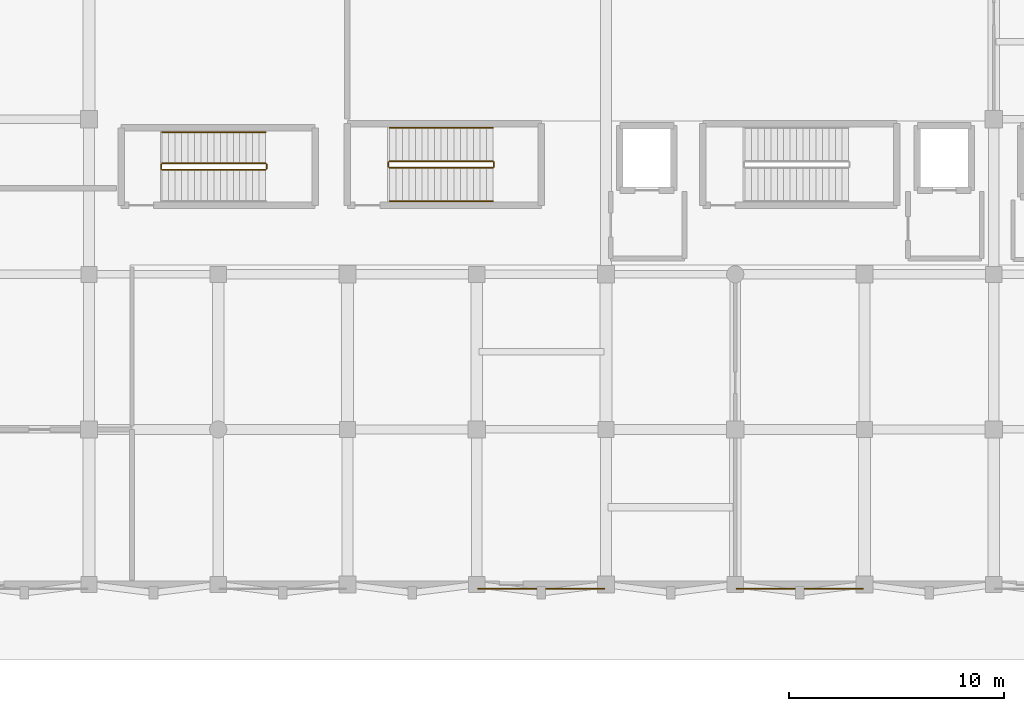
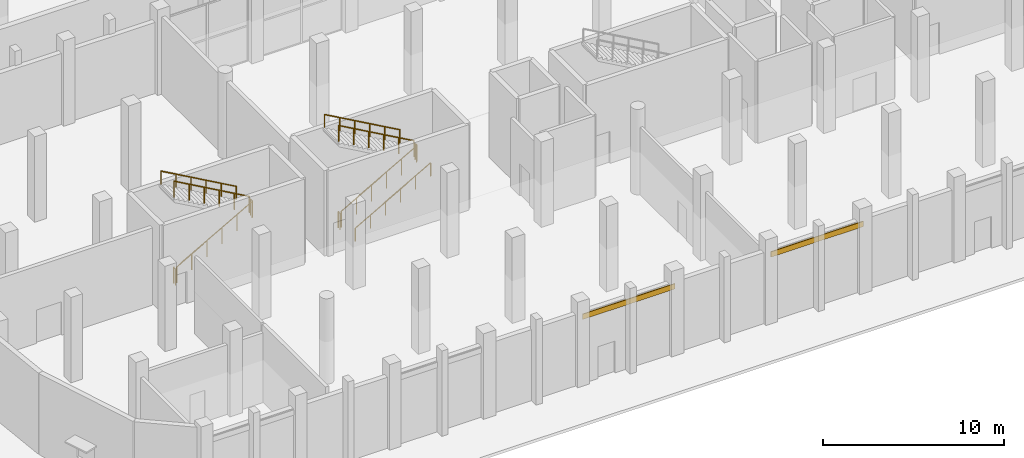
# One storey, part 88 of 103: 11 railings, 2 coverings.
"""IFC4 building model written with IfcOpenShell, lengths in metres."""

from ifc_helpers import new_model, si_unit, direction, frame, origin, origin_2d, place, context, subcontext, project, spatial, rectangle, circle, extrude, material, layer, layer_set, type_object, element, save


model = new_model("IFC4")

# Units and contexts
model_context = context("Model", 3, precision=1e-05, world=origin(), true_north=direction((0.0, 1.0)))
body_context = subcontext(model_context, "Body", "Model", "MODEL_VIEW")
ifc_project = project(units=[si_unit("LENGTHUNIT", "METRE"), si_unit("AREAUNIT", "SQUARE_METRE"), si_unit("VOLUMEUNIT", "CUBIC_METRE"), si_unit("PLANEANGLEUNIT", "RADIAN"), si_unit("MASSUNIT", "GRAM", prefix="KILO")], contexts=[model_context])

# Site, building, storey
site_placement = place(None, origin())
site = spatial("IfcSite", under=ifc_project, at=site_placement, CompositionType="ELEMENT")
building_placement = place(site_placement, origin())
building = spatial("IfcBuilding", under=site, at=building_placement, Name="Dunvalen Ferry Terminal", CompositionType="ELEMENT")
storey_placement = place(building_placement, origin())
storey = spatial("IfcBuildingStorey", under=building, at=storey_placement, Name="L00", CompositionType="ELEMENT", Elevation=0.0)

# Coverings
ifc_material_1 = material(Name="Anodised marine aluminium fascia cladding", Category="aluminium")
ifc_layer = layer(ifc_material_1, 0.050048828125, Name="Anodised marine aluminium fascia cladding")
ifc_layer_set = layer_set([ifc_layer], Name="Anodised marine aluminium fascia cladding")
covering_type = type_object("IfcCoveringType", Name="ENV-COV-CLD01", PredefinedType="CLADDING", material=ifc_layer_set)
for number, where, z_axis, x_axis, name in (
    (1, (33.0, -0.18408203125, 4.35986328125), (0.0, 0.0, 1.0), (1.0, 0.0, 0.0), "L00 Streamline Speed-Line Fascia Band 003"),
    (2, (45.0, -0.18408203125, 4.35986328125), (0.0, 0.0, 1.0), (1.0, 0.0, 0.0), "L00 Streamline Speed-Line Fascia Band 004"),
):
    element("IfcCovering", number, at=place(storey_placement, frame(where, z_axis=z_axis, x_axis=x_axis)), inside=storey, type_object=covering_type, Name=name, PredefinedType="CLADDING", context=body_context, shape_type="SweptSolid", body=[
        extrude(rectangle(XDim=5.89990234375, YDim=0.050048828125, at=origin_2d()), origin(), (0.0, 0.0, 1.0), 0.360107421875),
    ])

# Railings
ifc_material_2 = material(Name="Painted galvanised steel S275", Category="steel")
railing_type_1 = type_object("IfcRailingType", Name="INT-RL-STGRD", PredefinedType="GUARDRAIL", material=ifc_material_2)
railing_1_placement = place(storey_placement, frame((25.949951171875, 19.35009765625, 0.16943359375)))
element("IfcRailing", 3, at=railing_1_placement, inside=storey, type_object=railing_type_1, Name="L00 ST1 stair guard 1", PredefinedType="GUARDRAIL", context=body_context, shape_type="SweptSolid", body=[
    extrude(circle(Radius=0.02392578125, at=origin_2d()), frame((0.0, 0.0, 1.076171875), z_axis=(0.870766506294, 0.0, 0.491696747514), x_axis=(0.0, 1.0, 0.0)), (0.0, 0.0, 1.0), 5.512451171875),
    extrude(circle(Radius=0.02099609375, at=origin_2d()), origin(), (0.0, 0.0, 1.0), 1.052001953125),
    extrude(circle(Radius=0.02099609375, at=origin_2d()), frame((0.9599609375, 0.0, 0.5419921875)), (0.0, 0.0, 1.0), 1.052001953125),
    extrude(circle(Radius=0.02099609375, at=origin_2d()), frame((1.919921875, 0.0, 1.084228515625)), (0.0, 0.0, 1.0), 1.052001953125),
    extrude(circle(Radius=0.02099609375, at=origin_2d()), frame((2.880126953125, 0.0, 1.626220703125)), (0.0, 0.0, 1.0), 1.052001953125),
    extrude(circle(Radius=0.02099609375, at=origin_2d()), frame((3.840087890625, 0.0, 2.16845703125)), (0.0, 0.0, 1.0), 1.052001953125),
    extrude(circle(Radius=0.02099609375, at=origin_2d()), frame((4.800048828125, 0.0, 2.71044921875)), (0.0, 0.0, 1.0), 1.052001953125),
])
railing_2_placement = place(storey_placement, frame((30.800048828125, 19.39990234375, 2.8798828125)))
element("IfcRailing", 4, at=railing_2_placement, inside=storey, type_object=railing_type_1, Name="L00 ST1 stair guard 2", PredefinedType="GUARDRAIL", context=body_context, shape_type="SweptSolid", body=[
    extrude(circle(Radius=0.02392578125, at=origin_2d()), frame((0.0, 0.0, 1.076171875), z_axis=(0.0, 1.0, 0.0), x_axis=(-1.0, 0.0, 0.0)), (0.0, 0.0, 1.0), 0.2001953125),
    extrude(circle(Radius=0.02099609375, at=origin_2d()), origin(), (0.0, 0.0, 1.0), 1.052001953125),
    extrude(circle(Radius=0.02099609375, at=origin_2d()), frame((0.0, 0.2001953125, 0.0)), (0.0, 0.0, 1.0), 1.052001953125),
])
railing_3_placement = place(storey_placement, frame((30.75, 19.64990234375, 3.04931640625)))
element("IfcRailing", 5, at=railing_3_placement, inside=storey, type_object=railing_type_1, Name="L00 ST1 stair guard 3", PredefinedType="GUARDRAIL", context=body_context, shape_type="SweptSolid", body=[
    extrude(circle(Radius=0.02392578125, at=origin_2d()), frame((0.0, 0.0, 1.076171875), z_axis=(-0.870747543578, 0.0, 0.491730327875), x_axis=(0.0, -1.0, 0.0)), (0.0, 0.0, 1.0), 5.512451171875),
    extrude(circle(Radius=0.02099609375, at=origin_2d()), origin(), (0.0, 0.0, 1.0), 1.052001953125),
    extrude(circle(Radius=0.02099609375, at=origin_2d()), frame((-0.9599609375, 0.0, 0.542236328125)), (0.0, 0.0, 1.0), 1.052001953125),
    extrude(circle(Radius=0.02099609375, at=origin_2d()), frame((-1.919921875, 0.0, 1.084228515625)), (0.0, 0.0, 1.0), 1.052001953125),
    extrude(circle(Radius=0.02099609375, at=origin_2d()), frame((-2.880126953125, 0.0, 1.62646484375)), (0.0, 0.0, 1.0), 1.052001953125),
    extrude(circle(Radius=0.02099609375, at=origin_2d()), frame((-3.840087890625, 0.0, 2.16845703125)), (0.0, 0.0, 1.0), 1.052001953125),
    extrude(circle(Radius=0.02099609375, at=origin_2d()), frame((-4.800048828125, 0.0, 2.710693359375)), (0.0, 0.0, 1.0), 1.052001953125),
])
railing_4_placement = place(storey_placement, frame((25.89990234375, 19.39990234375, 0.0)))
element("IfcRailing", 6, at=railing_4_placement, inside=storey, type_object=railing_type_1, Name="L00 ST1 stair guard 4", PredefinedType="GUARDRAIL", context=body_context, shape_type="SweptSolid", body=[
    extrude(circle(Radius=0.02392578125, at=origin_2d()), frame((0.0, 0.0, 1.076171875), z_axis=(0.0, 1.0, 0.0), x_axis=(-1.0, 0.0, 0.0)), (0.0, 0.0, 1.0), 0.2001953125),
    extrude(circle(Radius=0.02099609375, at=origin_2d()), origin(), (0.0, 0.0, 1.0), 1.052001953125),
    extrude(circle(Radius=0.02099609375, at=origin_2d()), frame((0.0, 0.2001953125, 0.0)), (0.0, 0.0, 1.0), 1.052001953125),
])
railing_5_placement = place(storey_placement, frame((15.39990234375, 19.25, 0.16943359375)))
element("IfcRailing", 7, at=railing_5_placement, inside=storey, type_object=railing_type_1, Name="L00 ST5 stair guard 1", PredefinedType="GUARDRAIL", context=body_context, shape_type="SweptSolid", body=[
    extrude(circle(Radius=0.02392578125, at=origin_2d()), frame((0.0, 0.0, 1.076171875), z_axis=(0.870766506294, 0.0, 0.491696747514), x_axis=(0.0, 1.0, 0.0)), (0.0, 0.0, 1.0), 5.512451171875),
    extrude(circle(Radius=0.02099609375, at=origin_2d()), origin(), (0.0, 0.0, 1.0), 1.052001953125),
    extrude(circle(Radius=0.02099609375, at=origin_2d()), frame((0.9599609375, 0.0, 0.5419921875)), (0.0, 0.0, 1.0), 1.052001953125),
    extrude(circle(Radius=0.02099609375, at=origin_2d()), frame((1.919921875, 0.0, 1.084228515625)), (0.0, 0.0, 1.0), 1.052001953125),
    extrude(circle(Radius=0.02099609375, at=origin_2d()), frame((2.880126953125, 0.0, 1.626220703125)), (0.0, 0.0, 1.0), 1.052001953125),
    extrude(circle(Radius=0.02099609375, at=origin_2d()), frame((3.840087890625, 0.0, 2.16845703125)), (0.0, 0.0, 1.0), 1.052001953125),
    extrude(circle(Radius=0.02099609375, at=origin_2d()), frame((4.800048828125, 0.0, 2.71044921875)), (0.0, 0.0, 1.0), 1.052001953125),
])
railing_6_placement = place(storey_placement, frame((20.25, 19.300048828125, 2.8798828125)))
element("IfcRailing", 8, at=railing_6_placement, inside=storey, type_object=railing_type_1, Name="L00 ST5 stair guard 2", PredefinedType="GUARDRAIL", context=body_context, shape_type="SweptSolid", body=[
    extrude(circle(Radius=0.02392578125, at=origin_2d()), frame((0.0, 0.0, 1.076171875), z_axis=(0.0, 1.0, 0.0), x_axis=(-1.0, 0.0, 0.0)), (0.0, 0.0, 1.0), 0.199951171875),
    extrude(circle(Radius=0.02099609375, at=origin_2d()), origin(), (0.0, 0.0, 1.0), 1.052001953125),
    extrude(circle(Radius=0.02099609375, at=origin_2d()), frame((0.0, 0.199951171875, 0.0)), (0.0, 0.0, 1.0), 1.052001953125),
])
railing_7_placement = place(storey_placement, frame((20.199951171875, 19.550048828125, 3.04931640625)))
element("IfcRailing", 9, at=railing_7_placement, inside=storey, type_object=railing_type_1, Name="L00 ST5 stair guard 3", PredefinedType="GUARDRAIL", context=body_context, shape_type="SweptSolid", body=[
    extrude(circle(Radius=0.02392578125, at=origin_2d()), frame((0.0, 0.0, 1.076171875), z_axis=(-0.870747543578, 0.0, 0.491730327875), x_axis=(0.0, -1.0, 0.0)), (0.0, 0.0, 1.0), 5.512451171875),
    extrude(circle(Radius=0.02099609375, at=origin_2d()), origin(), (0.0, 0.0, 1.0), 1.052001953125),
    extrude(circle(Radius=0.02099609375, at=origin_2d()), frame((-0.9599609375, 0.0, 0.542236328125)), (0.0, 0.0, 1.0), 1.052001953125),
    extrude(circle(Radius=0.02099609375, at=origin_2d()), frame((-1.919921875, 0.0, 1.084228515625)), (0.0, 0.0, 1.0), 1.052001953125),
    extrude(circle(Radius=0.02099609375, at=origin_2d()), frame((-2.880126953125, 0.0, 1.62646484375)), (0.0, 0.0, 1.0), 1.052001953125),
    extrude(circle(Radius=0.02099609375, at=origin_2d()), frame((-3.840087890625, 0.0, 2.16845703125)), (0.0, 0.0, 1.0), 1.052001953125),
    extrude(circle(Radius=0.02099609375, at=origin_2d()), frame((-4.800048828125, 0.0, 2.710693359375)), (0.0, 0.0, 1.0), 1.052001953125),
])
railing_8_placement = place(storey_placement, frame((15.35009765625, 19.300048828125, 0.0)))
element("IfcRailing", 10, at=railing_8_placement, inside=storey, type_object=railing_type_1, Name="L00 ST5 stair guard 4", PredefinedType="GUARDRAIL", context=body_context, shape_type="SweptSolid", body=[
    extrude(circle(Radius=0.02392578125, at=origin_2d()), frame((0.0, 0.0, 1.076171875), z_axis=(0.0, 1.0, 0.0), x_axis=(-1.0, 0.0, 0.0)), (0.0, 0.0, 1.0), 0.199951171875),
    extrude(circle(Radius=0.02099609375, at=origin_2d()), origin(), (0.0, 0.0, 1.0), 1.052001953125),
    extrude(circle(Radius=0.02099609375, at=origin_2d()), frame((0.0, 0.199951171875, 0.0)), (0.0, 0.0, 1.0), 1.052001953125),
])
ifc_material_3 = material(Name="Brushed 316 stainless steel", Category="steel")
railing_type_2 = type_object("IfcRailingType", Name="INT-RL-STHND", PredefinedType="HANDRAIL", material=ifc_material_3)
railing_9_placement = place(storey_placement, frame((25.949951171875, 17.800048828125, 0.16943359375)))
element("IfcRailing", 11, at=railing_9_placement, inside=storey, type_object=railing_type_2, Name="L00 ST1 stair handrail 1", PredefinedType="HANDRAIL", context=body_context, shape_type="SweptSolid", body=[
    extrude(circle(Radius=0.02392578125, at=origin_2d()), frame((0.0, 0.0, 0.8759765625), z_axis=(0.870766506294, 0.0, 0.491696747514), x_axis=(0.0, 1.0, 0.0)), (0.0, 0.0, 1.0), 5.512451171875),
    extrude(circle(Radius=0.02099609375, at=origin_2d()), origin(), (0.0, 0.0, 1.0), 0.851806640625),
    extrude(circle(Radius=0.02099609375, at=origin_2d()), frame((0.9599609375, 0.0, 0.5419921875)), (0.0, 0.0, 1.0), 0.851806640625),
    extrude(circle(Radius=0.02099609375, at=origin_2d()), frame((1.919921875, 0.0, 1.084228515625)), (0.0, 0.0, 1.0), 0.851806640625),
    extrude(circle(Radius=0.02099609375, at=origin_2d()), frame((2.880126953125, 0.0, 1.626220703125)), (0.0, 0.0, 1.0), 0.851806640625),
    extrude(circle(Radius=0.02099609375, at=origin_2d()), frame((3.840087890625, 0.0, 2.16845703125)), (0.0, 0.0, 1.0), 0.851806640625),
    extrude(circle(Radius=0.02099609375, at=origin_2d()), frame((4.800048828125, 0.0, 2.71044921875)), (0.0, 0.0, 1.0), 0.851806640625),
])
for number, where, name in (
    (12, (30.75, 21.199951171875, 3.04931640625), "L00 ST1 stair handrail 2"),
    (13, (20.199951171875, 21.0, 3.04931640625), "L00 ST5 stair handrail 2"),
):
    element("IfcRailing", number, at=place(storey_placement, frame(where)), inside=storey, type_object=railing_type_2, Name=name, PredefinedType="HANDRAIL", context=body_context, shape_type="SweptSolid", body=[
        extrude(circle(Radius=0.02392578125, at=origin_2d()), frame((0.0, 0.0, 0.8759765625), z_axis=(-0.870747543578, 0.0, 0.491730327875), x_axis=(0.0, -1.0, 0.0)), (0.0, 0.0, 1.0), 5.512451171875),
        extrude(circle(Radius=0.02099609375, at=origin_2d()), origin(), (0.0, 0.0, 1.0), 0.851806640625),
        extrude(circle(Radius=0.02099609375, at=origin_2d()), frame((-0.9599609375, 0.0, 0.542236328125)), (0.0, 0.0, 1.0), 0.851806640625),
        extrude(circle(Radius=0.02099609375, at=origin_2d()), frame((-1.919921875, 0.0, 1.084228515625)), (0.0, 0.0, 1.0), 0.851806640625),
        extrude(circle(Radius=0.02099609375, at=origin_2d()), frame((-2.880126953125, 0.0, 1.62646484375)), (0.0, 0.0, 1.0), 0.851806640625),
        extrude(circle(Radius=0.02099609375, at=origin_2d()), frame((-3.840087890625, 0.0, 2.16845703125)), (0.0, 0.0, 1.0), 0.851806640625),
        extrude(circle(Radius=0.02099609375, at=origin_2d()), frame((-4.800048828125, 0.0, 2.710693359375)), (0.0, 0.0, 1.0), 0.851806640625),
    ])

save(model, "model.ifc")
